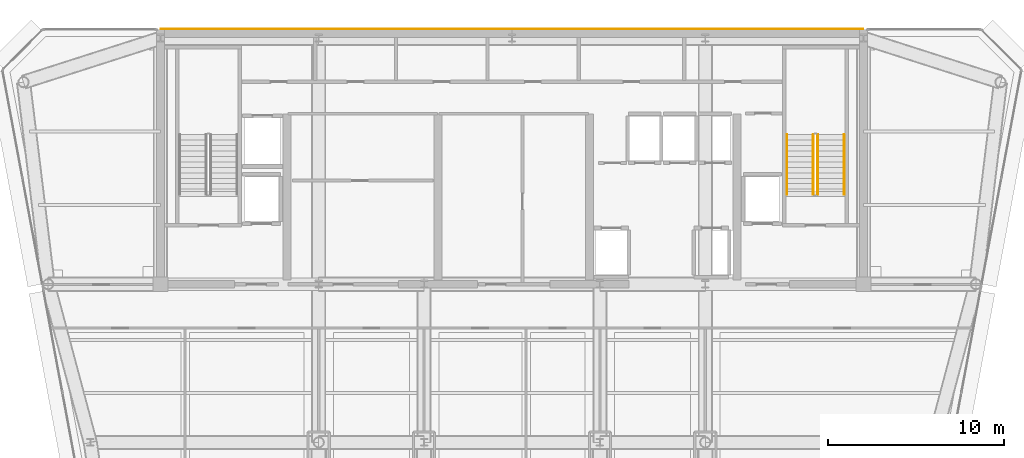
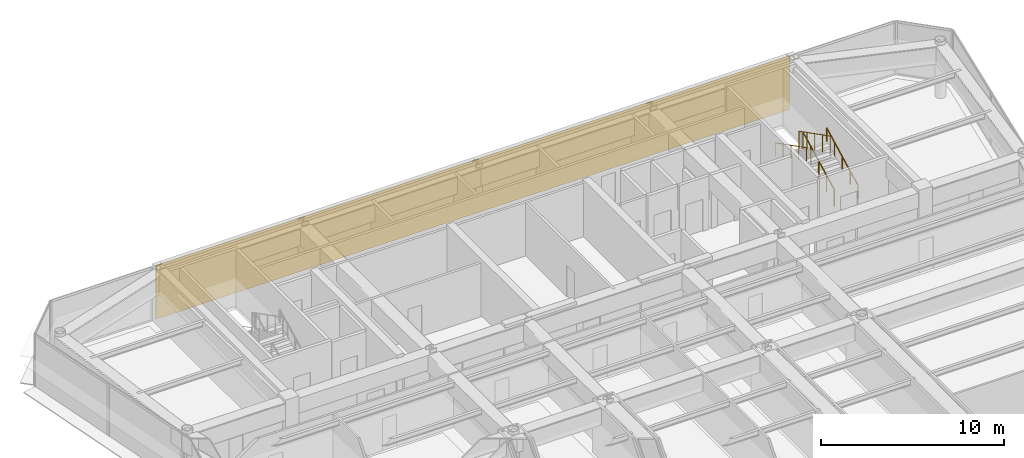
# One storey, part 17 of 18: 4 railings, 1 covering.
"""IFC4 building model written with IfcOpenShell, lengths in metres."""

from ifc_helpers import new_model, si_unit, direction, frame, origin, origin_2d, place, context, subcontext, project, spatial, polyline, circle, outline, extrude, material, layer, layer_set, type_object, element, save


model = new_model("IFC4")

# Units and contexts
model_context = context("Model", 3, precision=1e-05, world=origin(), true_north=direction((0.0, 1.0)))
body_context = subcontext(model_context, "Body", "Model", "MODEL_VIEW")
ifc_project = project(units=[si_unit("LENGTHUNIT", "METRE"), si_unit("AREAUNIT", "SQUARE_METRE"), si_unit("VOLUMEUNIT", "CUBIC_METRE"), si_unit("PLANEANGLEUNIT", "RADIAN"), si_unit("MASSUNIT", "GRAM", prefix="KILO")], contexts=[model_context])

# Site, building, storey
site_placement = place(None, origin())
site = spatial("IfcSite", under=ifc_project, at=site_placement, CompositionType="ELEMENT")
building_placement = place(site_placement, origin())
building = spatial("IfcBuilding", under=site, at=building_placement, Name="Vaeldorn Concourse Tower", CompositionType="ELEMENT")
storey_placement = place(building_placement, frame((0.0, 0.0, 265.0)))
storey = spatial("IfcBuildingStorey", under=building, at=storey_placement, Name="L68", CompositionType="ELEMENT", Elevation=265.0)

# Covering
ifc_material = material(Name="Anodised Bronze Aluminium", Category="aluminium")
ifc_layer = layer(ifc_material, 0.050048828125)
ifc_layer_set = layer_set([ifc_layer], Name="Anodised Bronze Aluminium")
covering_type = type_object("IfcCoveringType", Name="COV-CLAD-BRONZE", PredefinedType="CLADDING", material=ifc_layer_set)
covering_placement = place(storey_placement, origin())
element("IfcCovering", 1, at=covering_placement, inside=storey, type_object=covering_type, Name="Rear Core Bronze Spandrel Cladding L68", PredefinedType="CLADDING", context=body_context, shape_type="SweptSolid", body=[
    extrude(outline(polyline([(14.0, 51.0), (54.0, 51.0), (54.0, 51.050048828125), (14.0, 51.050048828125), (14.0, 51.0)])), origin(), (0.0, 0.0, 1.0), 3.580078125),
])

# Railings
railing_type_1 = type_object("IfcRailingType", Name="RL-STAIR-GUARD", PredefinedType="GUARDRAIL", material=ifc_material)
railing_1_placement = place(storey_placement, frame((51.39990234375, 41.60009765625, 0.158447265625)))
element("IfcRailing", 2, at=railing_1_placement, inside=storey, type_object=railing_type_1, Name="L68 ST-2 stair guard 1", PredefinedType="GUARDRAIL", context=body_context, shape_type="SweptSolid", body=[
    extrude(circle(Radius=0.02392578125, at=origin_2d()), frame((0.0, 0.0, 1.1259765625), z_axis=(0.0, 0.890581635807, 0.454823427236), x_axis=(-1.0, 0.0, 0.0)), (0.0, 0.0, 1.0), 3.828857421875),
    extrude(circle(Radius=0.02099609375, at=origin_2d()), origin(), (0.0, 0.0, 1.0), 1.101806640625),
    extrude(circle(Radius=0.02099609375, at=origin_2d()), frame((0.0, 0.8525390625, 0.435302734375)), (0.0, 0.0, 1.0), 1.101806640625),
    extrude(circle(Radius=0.02099609375, at=origin_2d()), frame((0.0, 1.705078125, 0.87060546875)), (0.0, 0.0, 1.0), 1.101806640625),
    extrude(circle(Radius=0.02099609375, at=origin_2d()), frame((0.0, 2.557373046875, 1.30615234375)), (0.0, 0.0, 1.0), 1.101806640625),
    extrude(circle(Radius=0.02099609375, at=origin_2d()), frame((0.0, 3.409912109375, 1.741455078125)), (0.0, 0.0, 1.0), 1.101806640625),
])
railing_2_placement = place(storey_placement, frame((51.14990234375, 45.010009765625, 2.058349609375)))
element("IfcRailing", 3, at=railing_2_placement, inside=storey, type_object=railing_type_1, Name="L68 ST-2 stair guard 3", PredefinedType="GUARDRAIL", context=body_context, shape_type="SweptSolid", body=[
    extrude(circle(Radius=0.02392578125, at=origin_2d()), frame((0.0, 0.0, 1.1259765625), z_axis=(0.0, -0.890555807335, 0.454873997962), x_axis=(1.0, 0.0, 0.0)), (0.0, 0.0, 1.0), 3.828857421875),
    extrude(circle(Radius=0.02099609375, at=origin_2d()), origin(), (0.0, 0.0, 1.0), 1.101806640625),
    extrude(circle(Radius=0.02099609375, at=origin_2d()), frame((0.0, -0.8525390625, 0.435546875)), (0.0, 0.0, 1.0), 1.101806640625),
    extrude(circle(Radius=0.02099609375, at=origin_2d()), frame((0.0, -1.705078125, 0.870849609375)), (0.0, 0.0, 1.0), 1.101806640625),
    extrude(circle(Radius=0.02099609375, at=origin_2d()), frame((0.0, -2.557373046875, 1.30615234375)), (0.0, 0.0, 1.0), 1.101806640625),
    extrude(circle(Radius=0.02099609375, at=origin_2d()), frame((0.0, -3.409912109375, 1.74169921875)), (0.0, 0.0, 1.0), 1.101806640625),
])
railing_type_2 = type_object("IfcRailingType", Name="RL-STAIR-HANDRAIL", PredefinedType="HANDRAIL", material=ifc_material)
railing_3_placement = place(storey_placement, frame((52.89990234375, 41.60009765625, 0.158447265625)))
element("IfcRailing", 4, at=railing_3_placement, inside=storey, type_object=railing_type_2, Name="L68 ST-2 stair handrail 1", PredefinedType="HANDRAIL", context=body_context, shape_type="SweptSolid", body=[
    extrude(circle(Radius=0.02392578125, at=origin_2d()), frame((0.0, 0.0, 0.8759765625), z_axis=(0.0, 0.890581635807, 0.454823427236), x_axis=(-1.0, 0.0, 0.0)), (0.0, 0.0, 1.0), 3.828857421875),
    extrude(circle(Radius=0.02099609375, at=origin_2d()), origin(), (0.0, 0.0, 1.0), 0.851806640625),
    extrude(circle(Radius=0.02099609375, at=origin_2d()), frame((0.0, 0.8525390625, 0.435302734375)), (0.0, 0.0, 1.0), 0.851806640625),
    extrude(circle(Radius=0.02099609375, at=origin_2d()), frame((0.0, 1.705078125, 0.87060546875)), (0.0, 0.0, 1.0), 0.851806640625),
    extrude(circle(Radius=0.02099609375, at=origin_2d()), frame((0.0, 2.557373046875, 1.30615234375)), (0.0, 0.0, 1.0), 0.851806640625),
    extrude(circle(Radius=0.02099609375, at=origin_2d()), frame((0.0, 3.409912109375, 1.741455078125)), (0.0, 0.0, 1.0), 0.851806640625),
])
railing_4_placement = place(storey_placement, frame((49.64990234375, 45.010009765625, 2.058349609375)))
element("IfcRailing", 5, at=railing_4_placement, inside=storey, type_object=railing_type_2, Name="L68 ST-2 stair handrail 2", PredefinedType="HANDRAIL", context=body_context, shape_type="SweptSolid", body=[
    extrude(circle(Radius=0.02392578125, at=origin_2d()), frame((0.0, 0.0, 0.8759765625), z_axis=(0.0, -0.890555807335, 0.454873997962), x_axis=(1.0, 0.0, 0.0)), (0.0, 0.0, 1.0), 3.828857421875),
    extrude(circle(Radius=0.02099609375, at=origin_2d()), origin(), (0.0, 0.0, 1.0), 0.851806640625),
    extrude(circle(Radius=0.02099609375, at=origin_2d()), frame((0.0, -0.8525390625, 0.435546875)), (0.0, 0.0, 1.0), 0.851806640625),
    extrude(circle(Radius=0.02099609375, at=origin_2d()), frame((0.0, -1.705078125, 0.870849609375)), (0.0, 0.0, 1.0), 0.851806640625),
    extrude(circle(Radius=0.02099609375, at=origin_2d()), frame((0.0, -2.557373046875, 1.30615234375)), (0.0, 0.0, 1.0), 0.851806640625),
    extrude(circle(Radius=0.02099609375, at=origin_2d()), frame((0.0, -3.409912109375, 1.74169921875)), (0.0, 0.0, 1.0), 0.851806640625),
])

save(model, "model.ifc")
